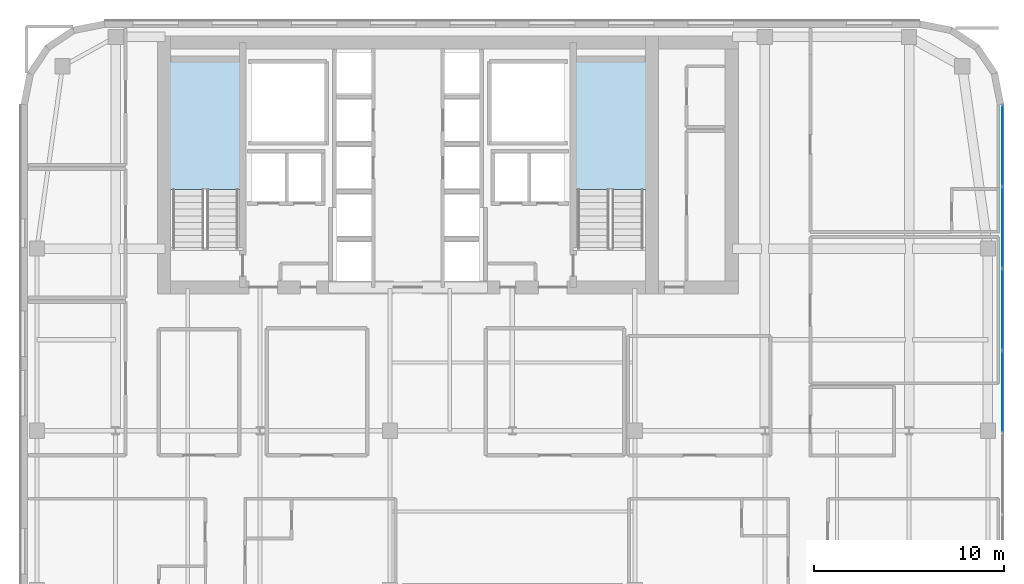
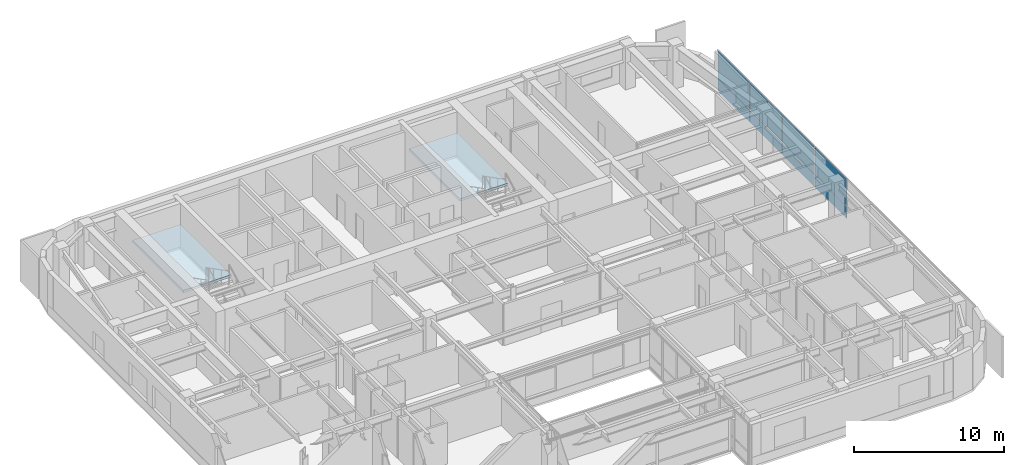
# One storey, part 14 of 26: 8 plates, 2 slabs, 3 elements without a shape of their own.
"""IFC4 building model written with IfcOpenShell, lengths in metres."""

from ifc_helpers import new_model, si_unit, direction, frame, origin, origin_2d, place, context, subcontext, project, spatial, polyline, rectangle, outline, extrude, source, transform, mapped, material, layer, layer_set, type_object, type_shapes, element, aggregate, save


model = new_model("IFC4")

# Units and contexts
model_context = context("Model", 3, precision=1e-05, world=origin(), true_north=direction((0.0, 1.0)))
body_context = subcontext(model_context, "Body", "Model", "MODEL_VIEW")
ifc_project = project(units=[si_unit("LENGTHUNIT", "METRE"), si_unit("AREAUNIT", "SQUARE_METRE"), si_unit("VOLUMEUNIT", "CUBIC_METRE"), si_unit("PLANEANGLEUNIT", "RADIAN"), si_unit("MASSUNIT", "GRAM", prefix="KILO")], contexts=[model_context])

# Site, building, storey
site_placement = place(None, origin())
site = spatial("IfcSite", under=ifc_project, at=site_placement, CompositionType="ELEMENT")
building_placement = place(site_placement, origin())
building = spatial("IfcBuilding", under=site, at=building_placement, Name="Tolvann Quenvar Hotel", CompositionType="ELEMENT")
storey_placement = place(building_placement, frame((0.0, 0.0, 168.35009765625)))
storey = spatial("IfcBuildingStorey", under=building, at=storey_placement, Name="L44", CompositionType="ELEMENT", Elevation=168.35009765625)

# Stair, slab
ifc_material_1 = material(Name="Concrete N40 (40 MPa)", Category="concrete")
stair_type = type_object("IfcStairType", Name="STAIR", PredefinedType="HALF_TURN_STAIR", material=ifc_material_1)
stair_1_placement = place(storey_placement, origin())
stair_1 = element("IfcStair", 1, at=stair_1_placement, inside=storey, type_object=stair_type, Name="L44 ST-C1", PredefinedType="HALF_TURN_STAIR")
ifc_layer_1 = layer(ifc_material_1, 0.199951171875)
ifc_layer_set_1 = layer_set([ifc_layer_1], Name="Concrete N40 (40 MPa)")
slab_type = type_object("IfcSlabType", Name="SLAB_LANDING", PredefinedType="LANDING", material=ifc_layer_set_1)
slab_1_placement = place(storey_placement, frame((0.0, 0.0, 1.574951171875)))
slab_1 = element("IfcSlab", 2, at=slab_1_placement, type_object=slab_type, Name="ST-C1 landing 1", PredefinedType="LANDING", context=body_context, shape_type="SweptSolid", body=[
    extrude(outline(polyline([(14.179931640625, 37.10498046875), (14.179931640625, 43.8798828125), (10.469970703125, 43.8798828125), (10.469970703125, 37.10498046875), (14.179931640625, 37.10498046875)])), origin(), (0.0, 0.0, 1.0), 0.199951171875),
])
aggregate(stair_1, [slab_1])

stair_2_placement = place(storey_placement, origin())
stair_2 = element("IfcStair", 3, at=stair_2_placement, inside=storey, type_object=stair_type, Name="L44 ST-C2", PredefinedType="HALF_TURN_STAIR")
slab_2_placement = place(storey_placement, frame((0.0, 0.0, 1.574951171875)))
slab_2 = element("IfcSlab", 4, at=slab_2_placement, type_object=slab_type, Name="ST-C2 landing 1", PredefinedType="LANDING", context=body_context, shape_type="SweptSolid", body=[
    extrude(outline(polyline([(35.530029296875, 37.10498046875), (35.530029296875, 43.8798828125), (31.820068359375, 43.8798828125), (31.820068359375, 37.10498046875), (35.530029296875, 37.10498046875)])), origin(), (0.0, 0.0, 1.0), 0.199951171875),
])
aggregate(stair_2, [slab_2])

# Curtain wall, plates
ifc_material_2 = material(Name="Thermally broken anodised architectural aluminium 6063-T6 and laminated low-E glass", Category="aluminium")
ifc_layer_2 = layer(ifc_material_2, 0.179931640625)
ifc_layer_set_2 = layer_set([ifc_layer_2], Name="Thermally broken anodised architectural aluminium 6063-T6 and laminated low-E glass")
curtain_wall_type = type_object("IfcCurtainWallType", Name="CW_SYS_BAND_04", PredefinedType="USERDEFINED", material=ifc_layer_set_2)
curtain_wall_placement = place(storey_placement, origin())
curtain_wall = element("IfcCurtainWall", 5, at=curtain_wall_placement, inside=storey, type_object=curtain_wall_type, Name="Curtain Wall CW-BAND-04 (CWR-L44-E13)", ObjectType="UNITISED CURTAIN WALL", PredefinedType="USERDEFINED")
ifc_material_3 = material(Name="Low-iron laminated double glazing with solar-control coating", Category="glass")
ifc_layer_3 = layer(ifc_material_3, 0.028076171875)
ifc_layer_set_3 = layer_set([ifc_layer_3], Name="Low-iron laminated double glazing with solar-control coating")
plate_type = type_object("IfcPlateType", Name="CW_PAN_VISION_28", PredefinedType="CURTAIN_PANEL", material=ifc_layer_set_3)
shared_shape_1 = source(origin(), body_context, "Body", "SweptSolid", [
    extrude(rectangle(XDim=4.2158203125, YDim=0.028076171875, at=origin_2d()), origin(), (0.0, 0.0, 1.0), 0.9599609375),
])
plate_1_placement = place(storey_placement, frame((54.31005859375, 39.405029296875, 0.059814453125), z_axis=(0.0, 0.0, 1.0), x_axis=(0.0, 1.0, 0.0)))
plate_1 = element("IfcPlate", 6, at=plate_1_placement, type_object=plate_type, Name="CW-BAND-04 panel 8.1", PredefinedType="CURTAIN_PANEL", context=body_context, shape_type="MappedRepresentation", body=[
    mapped(shared_shape_1, transform((0.0, 0.0, 0.0), x_axis=(1.0, 0.0, 0.0), y_axis=(0.0, 1.0, 0.0), z_axis=(0.0, 0.0, 1.0), scale=1.0)),
])
shared_shape_2 = source(origin(), body_context, "Body", "SweptSolid", [
    extrude(rectangle(XDim=4.2158203125, YDim=0.028076171875, at=origin_2d()), origin(), (0.0, 0.0, 1.0), 2.22998046875),
])
plate_2_placement = place(storey_placement, frame((54.31005859375, 39.405029296875, 1.079833984375), z_axis=(0.0, 0.0, 1.0), x_axis=(0.0, 1.0, 0.0)))
plate_2 = element("IfcPlate", 7, at=plate_2_placement, type_object=plate_type, Name="CW-BAND-04 panel 8.2", PredefinedType="CURTAIN_PANEL", context=body_context, shape_type="MappedRepresentation", body=[
    mapped(shared_shape_2, transform((0.0, 0.0, 0.0), x_axis=(1.0, 0.0, 0.0), y_axis=(0.0, 1.0, 0.0), z_axis=(0.0, 0.0, 1.0), scale=1.0)),
])
shared_shape_3 = source(origin(), body_context, "Body", "SweptSolid", [
    extrude(rectangle(XDim=4.250732421875, YDim=0.028076171875, at=origin_2d()), origin(), (0.0, 0.0, 1.0), 0.9599609375),
])
plate_3_placement = place(storey_placement, frame((54.31005859375, 26.46044921875, 0.059814453125), z_axis=(0.0, 0.0, 1.0), x_axis=(0.0, 1.0, 0.0)))
plate_3 = element("IfcPlate", 8, at=plate_3_placement, type_object=plate_type, Name="CW-BAND-04 panel 5.1", PredefinedType="CURTAIN_PANEL", context=body_context, shape_type="MappedRepresentation", body=[
    mapped(shared_shape_3, transform((0.0, 0.0, 0.0), x_axis=(1.0, 0.0, 0.0), y_axis=(0.0, 1.0, 0.0), z_axis=(0.0, 0.0, 1.0), scale=1.0)),
])
plate_4_placement = place(storey_placement, frame((54.31005859375, 30.781005859375, 0.059814453125), z_axis=(0.0, 0.0, 1.0), x_axis=(0.0, 1.0, 0.0)))
plate_4 = element("IfcPlate", 9, at=plate_4_placement, type_object=plate_type, Name="CW-BAND-04 panel 6.1", PredefinedType="CURTAIN_PANEL", context=body_context, shape_type="MappedRepresentation", body=[
    mapped(shared_shape_3, transform((0.0, 0.0, 0.0), x_axis=(1.0, 0.0, 0.0), y_axis=(0.0, 1.0, 0.0), z_axis=(0.0, 0.0, 1.0), scale=1.0)),
])
plate_5_placement = place(storey_placement, frame((54.31005859375, 35.101806640625, 0.059814453125), z_axis=(0.0, 0.0, 1.0), x_axis=(0.0, 1.0, 0.0)))
plate_5 = element("IfcPlate", 10, at=plate_5_placement, type_object=plate_type, Name="CW-BAND-04 panel 7.1", PredefinedType="CURTAIN_PANEL", context=body_context, shape_type="MappedRepresentation", body=[
    mapped(shared_shape_3, transform((0.0, 0.0, 0.0), x_axis=(1.0, 0.0, 0.0), y_axis=(0.0, 1.0, 0.0), z_axis=(0.0, 0.0, 1.0), scale=1.0)),
])
shared_shape_4 = source(origin(), body_context, "Body", "SweptSolid", [
    extrude(rectangle(XDim=4.250732421875, YDim=0.028076171875, at=origin_2d()), origin(), (0.0, 0.0, 1.0), 2.22998046875),
])
type_shapes(plate_type, [shared_shape_1, shared_shape_2, shared_shape_3, shared_shape_4])
plate_6_placement = place(storey_placement, frame((54.31005859375, 26.46044921875, 1.079833984375), z_axis=(0.0, 0.0, 1.0), x_axis=(0.0, 1.0, 0.0)))
plate_6 = element("IfcPlate", 11, at=plate_6_placement, type_object=plate_type, Name="CW-BAND-04 panel 5.2", PredefinedType="CURTAIN_PANEL", context=body_context, shape_type="MappedRepresentation", body=[
    mapped(shared_shape_4, transform((0.0, 0.0, 0.0), x_axis=(1.0, 0.0, 0.0), y_axis=(0.0, 1.0, 0.0), z_axis=(0.0, 0.0, 1.0), scale=1.0)),
])
plate_7_placement = place(storey_placement, frame((54.31005859375, 30.781005859375, 1.079833984375), z_axis=(0.0, 0.0, 1.0), x_axis=(0.0, 1.0, 0.0)))
plate_7 = element("IfcPlate", 12, at=plate_7_placement, type_object=plate_type, Name="CW-BAND-04 panel 6.2", PredefinedType="CURTAIN_PANEL", context=body_context, shape_type="MappedRepresentation", body=[
    mapped(shared_shape_4, transform((0.0, 0.0, 0.0), x_axis=(1.0, 0.0, 0.0), y_axis=(0.0, 1.0, 0.0), z_axis=(0.0, 0.0, 1.0), scale=1.0)),
])
plate_8_placement = place(storey_placement, frame((54.31005859375, 35.101806640625, 1.079833984375), z_axis=(0.0, 0.0, 1.0), x_axis=(0.0, 1.0, 0.0)))
plate_8 = element("IfcPlate", 13, at=plate_8_placement, type_object=plate_type, Name="CW-BAND-04 panel 7.2", PredefinedType="CURTAIN_PANEL", context=body_context, shape_type="MappedRepresentation", body=[
    mapped(shared_shape_4, transform((0.0, 0.0, 0.0), x_axis=(1.0, 0.0, 0.0), y_axis=(0.0, 1.0, 0.0), z_axis=(0.0, 0.0, 1.0), scale=1.0)),
])
aggregate(curtain_wall, [plate_3, plate_6, plate_4, plate_7, plate_5, plate_8, plate_1, plate_2])

save(model, "model.ifc")
